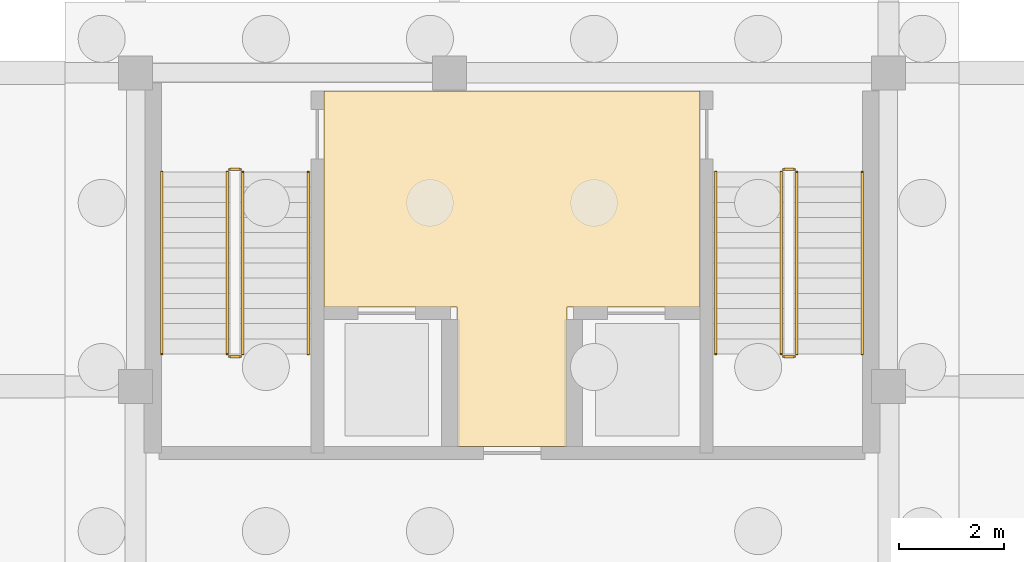
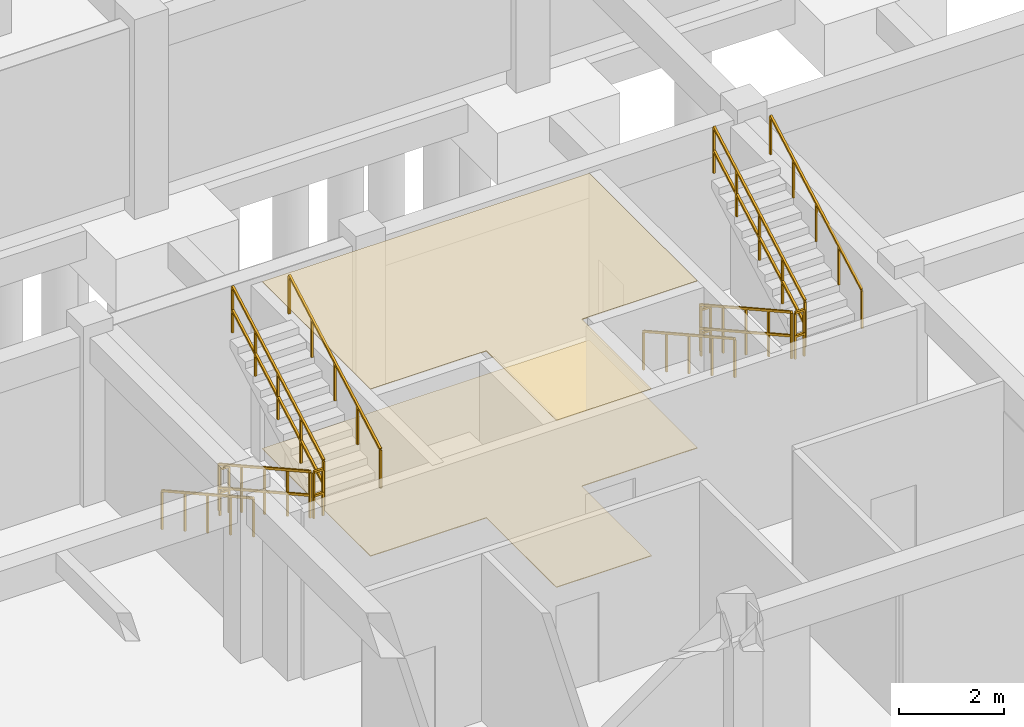
# One storey, part 38 of 40: 12 railings, 2 coverings.
"""IFC4 building model written with IfcOpenShell, lengths in metres."""

from ifc_helpers import new_model, si_unit, direction, frame, origin, origin_2d, place, context, subcontext, project, spatial, polyline, rectangle, outline, extrude, material, layer, layer_set, type_object, element, save


model = new_model("IFC4")

# Units and contexts
model_context = context("Model", 3, precision=1e-05, world=origin(), true_north=direction((0.0, 1.0)))
body_context = subcontext(model_context, "Body", "Model", "MODEL_VIEW")
ifc_project = project(units=[si_unit("LENGTHUNIT", "METRE"), si_unit("AREAUNIT", "SQUARE_METRE"), si_unit("VOLUMEUNIT", "CUBIC_METRE"), si_unit("PLANEANGLEUNIT", "RADIAN"), si_unit("MASSUNIT", "GRAM", prefix="KILO"), si_unit("THERMODYNAMICTEMPERATUREUNIT", "KELVIN")], contexts=[model_context])

# Site, building, storey
site_placement = place(None, origin())
site = spatial("IfcSite", under=ifc_project, at=site_placement, CompositionType="ELEMENT")
building_placement = place(site_placement, origin())
building = spatial("IfcBuilding", under=site, at=building_placement, Name="Thalorik Housing Commons", CompositionType="ELEMENT")
storey_placement = place(building_placement, frame((0.0, 0.0, -4.199951171875)))
storey = spatial("IfcBuildingStorey", under=building, at=storey_placement, Name="B1", CompositionType="ELEMENT", Elevation=-4.199951171875)

# Coverings
ifc_material_1 = material(Name="Mineral fibre acoustic ceiling tile")
ifc_layer_1 = layer(ifc_material_1, 0.01806640625, Name="Mineral fibre acoustic ceiling tile")
ifc_layer_set_1 = layer_set([ifc_layer_1], Name="Mineral fibre acoustic ceiling tile")
covering_type_1 = type_object("IfcCoveringType", Name="ARC-COV-CEIL-02", PredefinedType="CEILING", material=ifc_layer_set_1)
covering_1_placement = place(storey_placement, frame((0.0, 0.0, 3.8818359375)))
element("IfcCovering", 1, at=covering_1_placement, inside=storey, type_object=covering_type_1, Name="B1 Block D Lift Lobby Suspended Ceiling", PredefinedType="CEILING", context=body_context, shape_type="SweptSolid", body=[
    extrude(outline(polyline([(158.550048828125, 64.85009765625), (160.64990234375, 64.85009765625), (160.650146484375, 67.52001953125), (163.199951171875, 67.52001953125), (163.199951171875, 71.64990234375), (156.0, 71.64990234375), (156.0, 67.52001953125), (158.550048828125, 67.52001953125), (158.550048828125, 64.85009765625)])), origin(), (0.0, 0.0, 1.0), 0.01806640625),
])
ifc_material_2 = material(Name="Slip-resistant quarry terracotta corridor tile", Category="masonry")
ifc_layer_2 = layer(ifc_material_2, 0.01611328125, Name="Slip-resistant quarry terracotta corridor tile", Category="masonry")
ifc_layer_set_2 = layer_set([ifc_layer_2], Name="Slip-resistant quarry terracotta corridor tile")
covering_type_2 = type_object("IfcCoveringType", Name="ARC-COV-FLR-02", PredefinedType="FLOORING", material=ifc_layer_set_2)
covering_2_placement = place(storey_placement, origin())
element("IfcCovering", 2, at=covering_2_placement, inside=storey, type_object=covering_type_2, Name="B1 Block D Lift Lobby Flooring", PredefinedType="FLOORING", context=body_context, shape_type="SweptSolid", body=[
    extrude(outline(polyline([(158.550048828125, 64.85009765625), (160.64990234375, 64.85009765625), (160.650146484375, 67.52001953125), (163.199951171875, 67.52001953125), (163.199951171875, 71.64990234375), (156.0, 71.64990234375), (156.0, 67.52001953125), (158.550048828125, 67.52001953125), (158.550048828125, 64.85009765625)])), origin(), (0.0, 0.0, 1.0), 0.015869140625),
])

# Railings
ifc_material_3 = material(Name="Steel S355", Category="steel")
railing_type_1 = type_object("IfcRailingType", Name="ARC-RL-STR-GRD110", PredefinedType="GUARDRAIL", material=ifc_material_3)
railing_1_placement = place(storey_placement, frame((154.14990234375, 70.10009765625, 0.161376953125)))
element("IfcRailing", 3, at=railing_1_placement, inside=storey, type_object=railing_type_1, Name="B1 ST-D1 stair guard 1", PredefinedType="GUARDRAIL", context=body_context, shape_type="SweptSolid", body=[
    extrude(rectangle(XDim=0.048095703125, YDim=0.048095703125, at=origin_2d()), frame((0.0, 0.0, 1.076171875), z_axis=(0.0, -0.87360743253, 0.486631332559), x_axis=(1.0, 0.0, 0.0)), (0.0, 0.0, 1.0), 3.9833984375),
    extrude(rectangle(XDim=0.048095703125, YDim=0.048095703125, at=origin_2d()), frame((0.0, 0.0, 0.52587890625), z_axis=(0.0, -0.87360743253, 0.486631332559), x_axis=(1.0, 0.0, 0.0)), (0.0, 0.0, 1.0), 3.9833984375),
    extrude(rectangle(XDim=0.0419921875, YDim=0.0419921875, at=origin_2d()), origin(), (0.0, 0.0, 1.0), 1.052001953125),
    extrude(rectangle(XDim=0.0419921875, YDim=0.0419921875, at=origin_2d()), frame((0.0, -0.8701171875, 0.484619140625)), (0.0, 0.0, 1.0), 1.052001953125),
    extrude(rectangle(XDim=0.0419921875, YDim=0.0419921875, at=origin_2d()), frame((0.0, -1.739990234375, 0.96923828125)), (0.0, 0.0, 1.0), 1.052001953125),
    extrude(rectangle(XDim=0.0419921875, YDim=0.0419921875, at=origin_2d()), frame((0.0, -2.60986328125, 1.453857421875)), (0.0, 0.0, 1.0), 1.052001953125),
    extrude(rectangle(XDim=0.0419921875, YDim=0.0419921875, at=origin_2d()), frame((0.0, -3.47998046875, 1.9384765625)), (0.0, 0.0, 1.0), 1.052001953125),
])
railing_2_placement = place(storey_placement, frame((154.199951171875, 66.570068359375, 2.099853515625)))
element("IfcRailing", 4, at=railing_2_placement, inside=storey, type_object=railing_type_1, Name="B1 ST-D1 stair guard 2", PredefinedType="GUARDRAIL", context=body_context, shape_type="SweptSolid", body=[
    extrude(rectangle(XDim=0.048095703125, YDim=0.048095703125, at=origin_2d()), frame((0.0, 0.0, 1.076171875), z_axis=(1.0, 0.0, 0.0), x_axis=(0.0, 1.0, 0.0)), (0.0, 0.0, 1.0), 0.199951171875),
    extrude(rectangle(XDim=0.048095703125, YDim=0.048095703125, at=origin_2d()), frame((0.0, 0.0, 0.52587890625), z_axis=(1.0, 0.0, 0.0), x_axis=(0.0, 1.0, 0.0)), (0.0, 0.0, 1.0), 0.199951171875),
    extrude(rectangle(XDim=0.0419921875, YDim=0.0419921875, at=origin_2d()), origin(), (0.0, 0.0, 1.0), 1.052001953125),
    extrude(rectangle(XDim=0.0419921875, YDim=0.0419921875, at=origin_2d()), frame((0.199951171875, 0.0, 0.0)), (0.0, 0.0, 1.0), 1.052001953125),
])
railing_3_placement = place(storey_placement, frame((154.449951171875, 66.6201171875, 2.261474609375)))
element("IfcRailing", 5, at=railing_3_placement, inside=storey, type_object=railing_type_1, Name="B1 ST-D1 stair guard 3", PredefinedType="GUARDRAIL", context=body_context, shape_type="SweptSolid", body=[
    extrude(rectangle(XDim=0.048095703125, YDim=0.048095703125, at=origin_2d()), frame((0.0, 0.0, 1.076171875), z_axis=(0.0, 0.87360743253, 0.486631332559), x_axis=(-1.0, 0.0, 0.0)), (0.0, 0.0, 1.0), 3.9833984375),
    extrude(rectangle(XDim=0.048095703125, YDim=0.048095703125, at=origin_2d()), frame((0.0, 0.0, 0.52587890625), z_axis=(0.0, 0.87360743253, 0.486631332559), x_axis=(-1.0, 0.0, 0.0)), (0.0, 0.0, 1.0), 3.9833984375),
    extrude(rectangle(XDim=0.0419921875, YDim=0.0419921875, at=origin_2d()), origin(), (0.0, 0.0, 1.0), 1.052001953125),
    extrude(rectangle(XDim=0.0419921875, YDim=0.0419921875, at=origin_2d()), frame((0.0, 0.8701171875, 0.484619140625)), (0.0, 0.0, 1.0), 1.052001953125),
    extrude(rectangle(XDim=0.0419921875, YDim=0.0419921875, at=origin_2d()), frame((0.0, 1.739990234375, 0.96923828125)), (0.0, 0.0, 1.0), 1.052001953125),
    extrude(rectangle(XDim=0.0419921875, YDim=0.0419921875, at=origin_2d()), frame((0.0, 2.60986328125, 1.453857421875)), (0.0, 0.0, 1.0), 1.052001953125),
    extrude(rectangle(XDim=0.0419921875, YDim=0.0419921875, at=origin_2d()), frame((0.0, 3.47998046875, 1.9384765625)), (0.0, 0.0, 1.0), 1.052001953125),
])
railing_4_placement = place(storey_placement, frame((154.199951171875, 70.14990234375, 0.0)))
element("IfcRailing", 6, at=railing_4_placement, inside=storey, type_object=railing_type_1, Name="B1 ST-D1 stair guard 4", PredefinedType="GUARDRAIL", context=body_context, shape_type="SweptSolid", body=[
    extrude(rectangle(XDim=0.048095703125, YDim=0.048095703125, at=origin_2d()), frame((0.0, 0.0, 1.076171875), z_axis=(1.0, 0.0, 0.0), x_axis=(0.0, 1.0, 0.0)), (0.0, 0.0, 1.0), 0.199951171875),
    extrude(rectangle(XDim=0.048095703125, YDim=0.048095703125, at=origin_2d()), frame((0.0, 0.0, 0.52587890625), z_axis=(1.0, 0.0, 0.0), x_axis=(0.0, 1.0, 0.0)), (0.0, 0.0, 1.0), 0.199951171875),
    extrude(rectangle(XDim=0.0419921875, YDim=0.0419921875, at=origin_2d()), origin(), (0.0, 0.0, 1.0), 1.052001953125),
    extrude(rectangle(XDim=0.0419921875, YDim=0.0419921875, at=origin_2d()), frame((0.199951171875, 0.0, 0.0)), (0.0, 0.0, 1.0), 1.052001953125),
])
railing_5_placement = place(storey_placement, frame((164.75, 70.10009765625, 0.161376953125)))
element("IfcRailing", 7, at=railing_5_placement, inside=storey, type_object=railing_type_1, Name="B1 ST-D2 stair guard 1", PredefinedType="GUARDRAIL", context=body_context, shape_type="SweptSolid", body=[
    extrude(rectangle(XDim=0.048095703125, YDim=0.048095703125, at=origin_2d()), frame((0.0, 0.0, 1.076171875), z_axis=(0.0, -0.87360743253, 0.486631332559), x_axis=(1.0, 0.0, 0.0)), (0.0, 0.0, 1.0), 3.9833984375),
    extrude(rectangle(XDim=0.048095703125, YDim=0.048095703125, at=origin_2d()), frame((0.0, 0.0, 0.52587890625), z_axis=(0.0, -0.87360743253, 0.486631332559), x_axis=(1.0, 0.0, 0.0)), (0.0, 0.0, 1.0), 3.9833984375),
    extrude(rectangle(XDim=0.0419921875, YDim=0.0419921875, at=origin_2d()), origin(), (0.0, 0.0, 1.0), 1.052001953125),
    extrude(rectangle(XDim=0.0419921875, YDim=0.0419921875, at=origin_2d()), frame((0.0, -0.8701171875, 0.484619140625)), (0.0, 0.0, 1.0), 1.052001953125),
    extrude(rectangle(XDim=0.0419921875, YDim=0.0419921875, at=origin_2d()), frame((0.0, -1.739990234375, 0.96923828125)), (0.0, 0.0, 1.0), 1.052001953125),
    extrude(rectangle(XDim=0.0419921875, YDim=0.0419921875, at=origin_2d()), frame((0.0, -2.60986328125, 1.453857421875)), (0.0, 0.0, 1.0), 1.052001953125),
    extrude(rectangle(XDim=0.0419921875, YDim=0.0419921875, at=origin_2d()), frame((0.0, -3.47998046875, 1.9384765625)), (0.0, 0.0, 1.0), 1.052001953125),
])
railing_6_placement = place(storey_placement, frame((164.800048828125, 66.570068359375, 2.099853515625)))
element("IfcRailing", 8, at=railing_6_placement, inside=storey, type_object=railing_type_1, Name="B1 ST-D2 stair guard 2", PredefinedType="GUARDRAIL", context=body_context, shape_type="SweptSolid", body=[
    extrude(rectangle(XDim=0.048095703125, YDim=0.048095703125, at=origin_2d()), frame((0.0, 0.0, 1.076171875), z_axis=(1.0, 0.0, 0.0), x_axis=(0.0, 1.0, 0.0)), (0.0, 0.0, 1.0), 0.199951171875),
    extrude(rectangle(XDim=0.048095703125, YDim=0.048095703125, at=origin_2d()), frame((0.0, 0.0, 0.52587890625), z_axis=(1.0, 0.0, 0.0), x_axis=(0.0, 1.0, 0.0)), (0.0, 0.0, 1.0), 0.199951171875),
    extrude(rectangle(XDim=0.0419921875, YDim=0.0419921875, at=origin_2d()), origin(), (0.0, 0.0, 1.0), 1.052001953125),
    extrude(rectangle(XDim=0.0419921875, YDim=0.0419921875, at=origin_2d()), frame((0.199951171875, 0.0, 0.0)), (0.0, 0.0, 1.0), 1.052001953125),
])
railing_7_placement = place(storey_placement, frame((165.050048828125, 66.6201171875, 2.261474609375)))
element("IfcRailing", 9, at=railing_7_placement, inside=storey, type_object=railing_type_1, Name="B1 ST-D2 stair guard 3", PredefinedType="GUARDRAIL", context=body_context, shape_type="SweptSolid", body=[
    extrude(rectangle(XDim=0.048095703125, YDim=0.048095703125, at=origin_2d()), frame((0.0, 0.0, 1.076171875), z_axis=(0.0, 0.87360743253, 0.486631332559), x_axis=(-1.0, 0.0, 0.0)), (0.0, 0.0, 1.0), 3.9833984375),
    extrude(rectangle(XDim=0.048095703125, YDim=0.048095703125, at=origin_2d()), frame((0.0, 0.0, 0.52587890625), z_axis=(0.0, 0.87360743253, 0.486631332559), x_axis=(-1.0, 0.0, 0.0)), (0.0, 0.0, 1.0), 3.9833984375),
    extrude(rectangle(XDim=0.0419921875, YDim=0.0419921875, at=origin_2d()), origin(), (0.0, 0.0, 1.0), 1.052001953125),
    extrude(rectangle(XDim=0.0419921875, YDim=0.0419921875, at=origin_2d()), frame((0.0, 0.8701171875, 0.484619140625)), (0.0, 0.0, 1.0), 1.052001953125),
    extrude(rectangle(XDim=0.0419921875, YDim=0.0419921875, at=origin_2d()), frame((0.0, 1.739990234375, 0.96923828125)), (0.0, 0.0, 1.0), 1.052001953125),
    extrude(rectangle(XDim=0.0419921875, YDim=0.0419921875, at=origin_2d()), frame((0.0, 2.60986328125, 1.453857421875)), (0.0, 0.0, 1.0), 1.052001953125),
    extrude(rectangle(XDim=0.0419921875, YDim=0.0419921875, at=origin_2d()), frame((0.0, 3.47998046875, 1.9384765625)), (0.0, 0.0, 1.0), 1.052001953125),
])
railing_8_placement = place(storey_placement, frame((164.800048828125, 70.14990234375, 0.0)))
element("IfcRailing", 10, at=railing_8_placement, inside=storey, type_object=railing_type_1, Name="B1 ST-D2 stair guard 4", PredefinedType="GUARDRAIL", context=body_context, shape_type="SweptSolid", body=[
    extrude(rectangle(XDim=0.048095703125, YDim=0.048095703125, at=origin_2d()), frame((0.0, 0.0, 1.076171875), z_axis=(1.0, 0.0, 0.0), x_axis=(0.0, 1.0, 0.0)), (0.0, 0.0, 1.0), 0.199951171875),
    extrude(rectangle(XDim=0.048095703125, YDim=0.048095703125, at=origin_2d()), frame((0.0, 0.0, 0.52587890625), z_axis=(1.0, 0.0, 0.0), x_axis=(0.0, 1.0, 0.0)), (0.0, 0.0, 1.0), 0.199951171875),
    extrude(rectangle(XDim=0.0419921875, YDim=0.0419921875, at=origin_2d()), origin(), (0.0, 0.0, 1.0), 1.052001953125),
    extrude(rectangle(XDim=0.0419921875, YDim=0.0419921875, at=origin_2d()), frame((0.199951171875, 0.0, 0.0)), (0.0, 0.0, 1.0), 1.052001953125),
])
railing_type_2 = type_object("IfcRailingType", Name="ARC-RL-STR-HR092", PredefinedType="HANDRAIL", material=ifc_material_3)
railing_9_placement = place(storey_placement, frame((152.89990234375, 70.10009765625, 0.161376953125)))
element("IfcRailing", 11, at=railing_9_placement, inside=storey, type_object=railing_type_2, Name="B1 ST-D1 stair handrail 1", PredefinedType="HANDRAIL", context=body_context, shape_type="SweptSolid", body=[
    extrude(rectangle(XDim=0.048095703125, YDim=0.048095703125, at=origin_2d()), frame((0.0, 0.0, 0.89599609375), z_axis=(0.0, -0.87360743253, 0.486631332559), x_axis=(1.0, 0.0, 0.0)), (0.0, 0.0, 1.0), 3.9833984375),
    extrude(rectangle(XDim=0.0419921875, YDim=0.0419921875, at=origin_2d()), origin(), (0.0, 0.0, 1.0), 0.871826171875),
    extrude(rectangle(XDim=0.0419921875, YDim=0.0419921875, at=origin_2d()), frame((0.0, -0.8701171875, 0.484619140625)), (0.0, 0.0, 1.0), 0.871826171875),
    extrude(rectangle(XDim=0.0419921875, YDim=0.0419921875, at=origin_2d()), frame((0.0, -1.739990234375, 0.96923828125)), (0.0, 0.0, 1.0), 0.871826171875),
    extrude(rectangle(XDim=0.0419921875, YDim=0.0419921875, at=origin_2d()), frame((0.0, -2.60986328125, 1.453857421875)), (0.0, 0.0, 1.0), 0.871826171875),
    extrude(rectangle(XDim=0.0419921875, YDim=0.0419921875, at=origin_2d()), frame((0.0, -3.47998046875, 1.9384765625)), (0.0, 0.0, 1.0), 0.871826171875),
])
railing_10_placement = place(storey_placement, frame((155.699951171875, 66.6201171875, 2.261474609375)))
element("IfcRailing", 12, at=railing_10_placement, inside=storey, type_object=railing_type_2, Name="B1 ST-D1 stair handrail 2", PredefinedType="HANDRAIL", context=body_context, shape_type="SweptSolid", body=[
    extrude(rectangle(XDim=0.048095703125, YDim=0.048095703125, at=origin_2d()), frame((0.0, 0.0, 0.89599609375), z_axis=(0.0, 0.87360743253, 0.486631332559), x_axis=(-1.0, 0.0, 0.0)), (0.0, 0.0, 1.0), 3.9833984375),
    extrude(rectangle(XDim=0.0419921875, YDim=0.0419921875, at=origin_2d()), origin(), (0.0, 0.0, 1.0), 0.871826171875),
    extrude(rectangle(XDim=0.0419921875, YDim=0.0419921875, at=origin_2d()), frame((0.0, 0.8701171875, 0.484619140625)), (0.0, 0.0, 1.0), 0.871826171875),
    extrude(rectangle(XDim=0.0419921875, YDim=0.0419921875, at=origin_2d()), frame((0.0, 1.739990234375, 0.96923828125)), (0.0, 0.0, 1.0), 0.871826171875),
    extrude(rectangle(XDim=0.0419921875, YDim=0.0419921875, at=origin_2d()), frame((0.0, 2.60986328125, 1.453857421875)), (0.0, 0.0, 1.0), 0.871826171875),
    extrude(rectangle(XDim=0.0419921875, YDim=0.0419921875, at=origin_2d()), frame((0.0, 3.47998046875, 1.9384765625)), (0.0, 0.0, 1.0), 0.871826171875),
])
railing_11_placement = place(storey_placement, frame((163.5, 70.10009765625, 0.161376953125)))
element("IfcRailing", 13, at=railing_11_placement, inside=storey, type_object=railing_type_2, Name="B1 ST-D2 stair handrail 1", PredefinedType="HANDRAIL", context=body_context, shape_type="SweptSolid", body=[
    extrude(rectangle(XDim=0.048095703125, YDim=0.048095703125, at=origin_2d()), frame((0.0, 0.0, 0.89599609375), z_axis=(0.0, -0.87360743253, 0.486631332559), x_axis=(1.0, 0.0, 0.0)), (0.0, 0.0, 1.0), 3.9833984375),
    extrude(rectangle(XDim=0.0419921875, YDim=0.0419921875, at=origin_2d()), origin(), (0.0, 0.0, 1.0), 0.871826171875),
    extrude(rectangle(XDim=0.0419921875, YDim=0.0419921875, at=origin_2d()), frame((0.0, -0.8701171875, 0.484619140625)), (0.0, 0.0, 1.0), 0.871826171875),
    extrude(rectangle(XDim=0.0419921875, YDim=0.0419921875, at=origin_2d()), frame((0.0, -1.739990234375, 0.96923828125)), (0.0, 0.0, 1.0), 0.871826171875),
    extrude(rectangle(XDim=0.0419921875, YDim=0.0419921875, at=origin_2d()), frame((0.0, -2.60986328125, 1.453857421875)), (0.0, 0.0, 1.0), 0.871826171875),
    extrude(rectangle(XDim=0.0419921875, YDim=0.0419921875, at=origin_2d()), frame((0.0, -3.47998046875, 1.9384765625)), (0.0, 0.0, 1.0), 0.871826171875),
])
railing_12_placement = place(storey_placement, frame((166.300048828125, 66.6201171875, 2.261474609375)))
element("IfcRailing", 14, at=railing_12_placement, inside=storey, type_object=railing_type_2, Name="B1 ST-D2 stair handrail 2", PredefinedType="HANDRAIL", context=body_context, shape_type="SweptSolid", body=[
    extrude(rectangle(XDim=0.048095703125, YDim=0.048095703125, at=origin_2d()), frame((0.0, 0.0, 0.89599609375), z_axis=(0.0, 0.87360743253, 0.486631332559), x_axis=(-1.0, 0.0, 0.0)), (0.0, 0.0, 1.0), 3.9833984375),
    extrude(rectangle(XDim=0.0419921875, YDim=0.0419921875, at=origin_2d()), origin(), (0.0, 0.0, 1.0), 0.871826171875),
    extrude(rectangle(XDim=0.0419921875, YDim=0.0419921875, at=origin_2d()), frame((0.0, 0.8701171875, 0.484619140625)), (0.0, 0.0, 1.0), 0.871826171875),
    extrude(rectangle(XDim=0.0419921875, YDim=0.0419921875, at=origin_2d()), frame((0.0, 1.739990234375, 0.96923828125)), (0.0, 0.0, 1.0), 0.871826171875),
    extrude(rectangle(XDim=0.0419921875, YDim=0.0419921875, at=origin_2d()), frame((0.0, 2.60986328125, 1.453857421875)), (0.0, 0.0, 1.0), 0.871826171875),
    extrude(rectangle(XDim=0.0419921875, YDim=0.0419921875, at=origin_2d()), frame((0.0, 3.47998046875, 1.9384765625)), (0.0, 0.0, 1.0), 0.871826171875),
])

save(model, "model.ifc")
